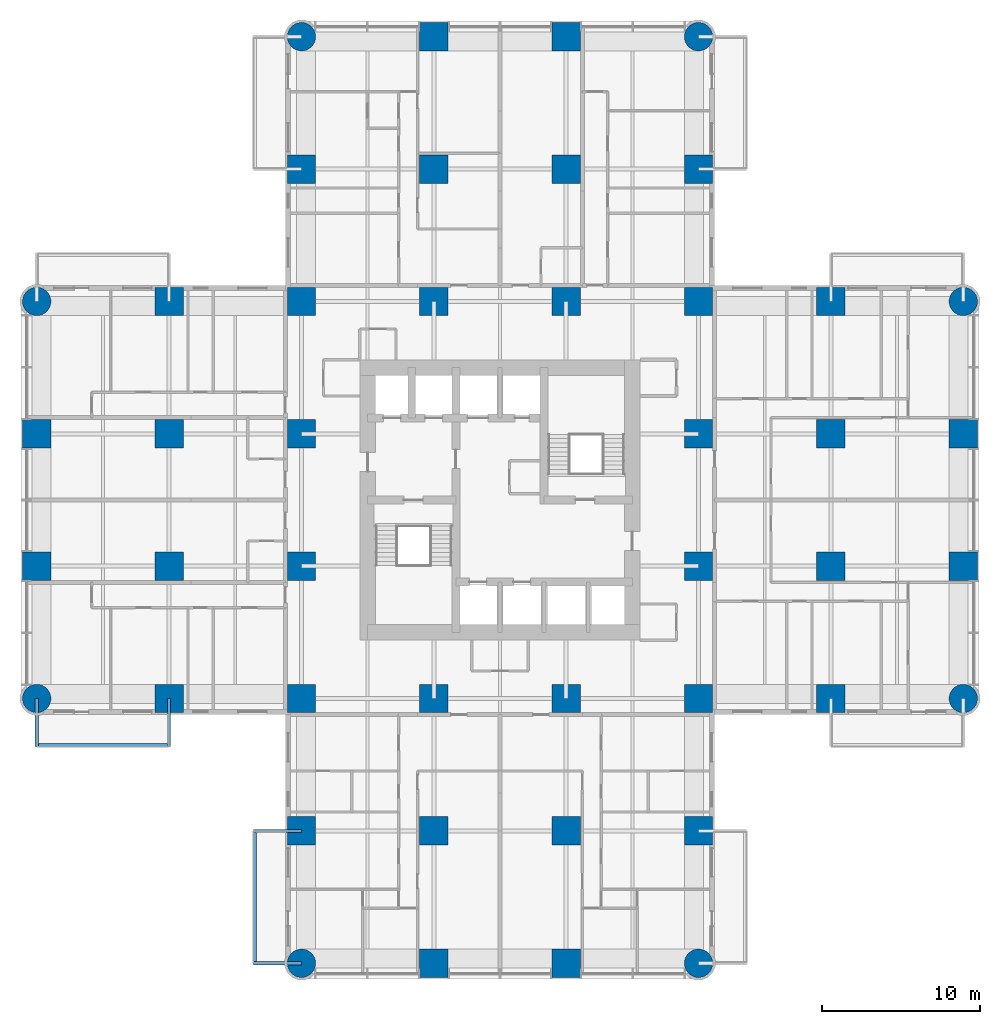
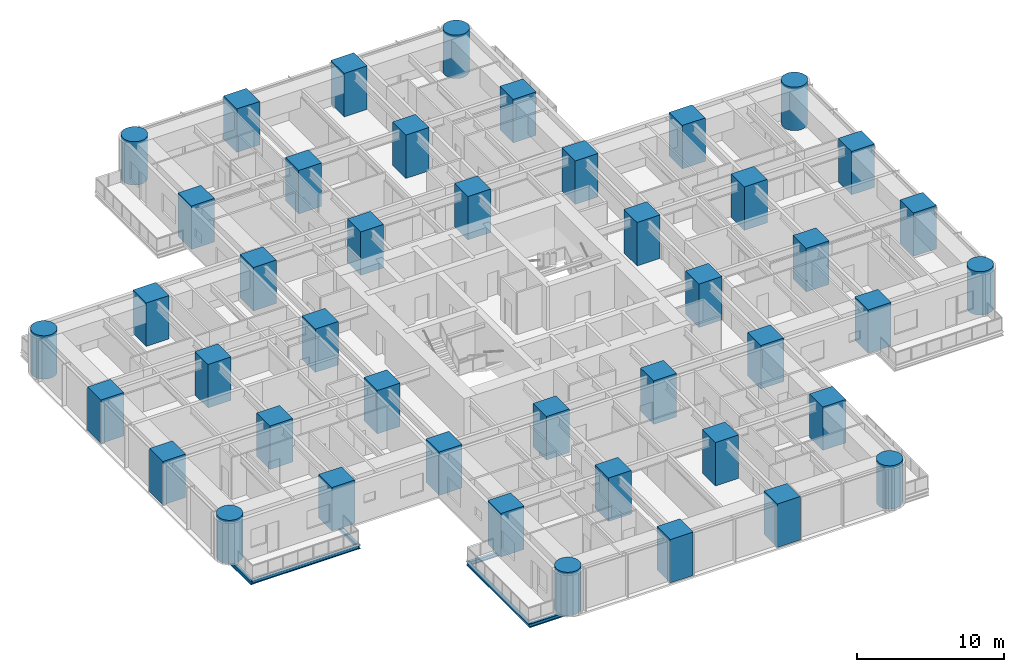
# One storey, part 1 of 17: 44 columns, 6 beams.
"""IFC4 building model written with IfcOpenShell, lengths in metres."""

from ifc_helpers import new_model, si_unit, direction, frame, origin, origin_2d, place, context, subcontext, project, spatial, rectangle, circle, i_section, extrude, material, material_profile, profile_set, type_object, element, save


model = new_model("IFC4")

# Units and contexts
model_context = context("Model", 3, precision=1e-05, world=origin(), true_north=direction((0.0, 1.0)))
body_context = subcontext(model_context, "Body", "Model", "MODEL_VIEW")
ifc_project = project(units=[si_unit("LENGTHUNIT", "METRE"), si_unit("AREAUNIT", "SQUARE_METRE"), si_unit("VOLUMEUNIT", "CUBIC_METRE"), si_unit("PLANEANGLEUNIT", "RADIAN"), si_unit("MASSUNIT", "GRAM", prefix="KILO")], contexts=[model_context])

# Site, building, storey
site_placement = place(None, origin())
site = spatial("IfcSite", under=ifc_project, at=site_placement, CompositionType="ELEMENT")
building_placement = place(site_placement, origin())
building = spatial("IfcBuilding", under=site, at=building_placement, Name="Torre Alcanfor", CompositionType="ELEMENT")
storey_placement = place(building_placement, frame((0.0, 0.0, 63.300048828125)))
storey = spatial("IfcBuildingStorey", under=building, at=storey_placement, Name="L15", CompositionType="ELEMENT", Elevation=63.300048828125)

# Columns
ifc_material_1 = material(Name="Concrete f'c 70 MPa", Category="concrete")
ifc_material_profile_1 = material_profile(ifc_material_1, rectangle(XDim=1.800048828125, YDim=1.800048828125, at=origin_2d()), Name="1800x1800")
ifc_profile_set_1 = profile_set([ifc_material_profile_1], Name="Concrete f'c 70 MPa")
column_type_1 = type_object("IfcColumnType", Name="RC column 1800x1800 f'c70", PredefinedType="COLUMN", material=ifc_profile_set_1)
for number, where, z_axis, x_axis, name in (
    (1, (0.0, 25.199951171875, 0.0), (0.0, 0.0, 1.0), (1.0, 0.0, 0.0), "Column 1/F L15"),
    (2, (0.0, 33.60009765625, 0.0), (0.0, 0.0, 1.0), (1.0, 0.0, 0.0), "Column 1/G L15"),
    (3, (8.39990234375, 16.800048828125, 0.0), (0.0, 0.0, 1.0), (1.0, 0.0, 0.0), "Column 2/E L15"),
    (4, (8.39990234375, 25.199951171875, 0.0), (0.0, 0.0, 1.0), (1.0, 0.0, 0.0), "Column 2/F L15"),
    (5, (8.39990234375, 33.60009765625, 0.0), (0.0, 0.0, 1.0), (1.0, 0.0, 0.0), "Column 2/G L15"),
    (6, (8.39990234375, 42.0, 0.0), (0.0, 0.0, 1.0), (1.0, 0.0, 0.0), "Column 2/H L15"),
    (7, (16.800048828125, 8.39990234375, 0.0), (0.0, 0.0, 1.0), (1.0, 0.0, 0.0), "Column 3/D L15"),
    (8, (16.800048828125, 16.800048828125, 0.0), (0.0, 0.0, 1.0), (1.0, 0.0, 0.0), "Column 3/E L15"),
    (9, (16.800048828125, 25.199951171875, 0.0), (0.0, 0.0, 1.0), (1.0, 0.0, 0.0), "Column 3/F L15"),
    (10, (16.800048828125, 33.60009765625, 0.0), (0.0, 0.0, 1.0), (1.0, 0.0, 0.0), "Column 3/G L15"),
    (11, (16.800048828125, 42.0, 0.0), (0.0, 0.0, 1.0), (1.0, 0.0, 0.0), "Column 3/H L15"),
    (12, (16.800048828125, 50.39990234375, 0.0), (0.0, 0.0, 1.0), (1.0, 0.0, 0.0), "Column 3/J L15"),
    (13, (25.199951171875, 0.0, 0.0), (0.0, 0.0, 1.0), (1.0, 0.0, 0.0), "Column 4/C L15"),
    (14, (25.199951171875, 8.39990234375, 0.0), (0.0, 0.0, 1.0), (1.0, 0.0, 0.0), "Column 4/D L15"),
    (15, (25.199951171875, 16.800048828125, 0.0), (0.0, 0.0, 1.0), (1.0, 0.0, 0.0), "Column 4/E L15"),
    (16, (25.199951171875, 42.0, 0.0), (0.0, 0.0, 1.0), (1.0, 0.0, 0.0), "Column 4/H L15"),
    (17, (25.199951171875, 50.39990234375, 0.0), (0.0, 0.0, 1.0), (1.0, 0.0, 0.0), "Column 4/J L15"),
    (18, (25.199951171875, 58.800048828125, 0.0), (0.0, 0.0, 1.0), (1.0, 0.0, 0.0), "Column 4/K L15"),
    (19, (33.60009765625, 0.0, 0.0), (0.0, 0.0, 1.0), (1.0, 0.0, 0.0), "Column 5/C L15"),
    (20, (33.60009765625, 8.39990234375, 0.0), (0.0, 0.0, 1.0), (1.0, 0.0, 0.0), "Column 5/D L15"),
    (21, (33.60009765625, 16.800048828125, 0.0), (0.0, 0.0, 1.0), (1.0, 0.0, 0.0), "Column 5/E L15"),
    (22, (33.60009765625, 42.0, 0.0), (0.0, 0.0, 1.0), (1.0, 0.0, 0.0), "Column 5/H L15"),
    (23, (33.60009765625, 50.39990234375, 0.0), (0.0, 0.0, 1.0), (1.0, 0.0, 0.0), "Column 5/J L15"),
    (24, (33.60009765625, 58.800048828125, 0.0), (0.0, 0.0, 1.0), (1.0, 0.0, 0.0), "Column 5/K L15"),
    (25, (42.0, 8.39990234375, 0.0), (0.0, 0.0, 1.0), (1.0, 0.0, 0.0), "Column 6/D L15"),
    (26, (42.0, 16.800048828125, 0.0), (0.0, 0.0, 1.0), (1.0, 0.0, 0.0), "Column 6/E L15"),
    (27, (42.0, 25.199951171875, 0.0), (0.0, 0.0, 1.0), (1.0, 0.0, 0.0), "Column 6/F L15"),
    (28, (42.0, 33.60009765625, 0.0), (0.0, 0.0, 1.0), (1.0, 0.0, 0.0), "Column 6/G L15"),
    (29, (42.0, 42.0, 0.0), (0.0, 0.0, 1.0), (1.0, 0.0, 0.0), "Column 6/H L15"),
    (30, (42.0, 50.39990234375, 0.0), (0.0, 0.0, 1.0), (1.0, 0.0, 0.0), "Column 6/J L15"),
    (31, (50.39990234375, 16.800048828125, 0.0), (0.0, 0.0, 1.0), (1.0, 0.0, 0.0), "Column 7/E L15"),
    (32, (50.39990234375, 25.199951171875, 0.0), (0.0, 0.0, 1.0), (1.0, 0.0, 0.0), "Column 7/F L15"),
    (33, (50.39990234375, 33.60009765625, 0.0), (0.0, 0.0, 1.0), (1.0, 0.0, 0.0), "Column 7/G L15"),
    (34, (50.39990234375, 42.0, 0.0), (0.0, 0.0, 1.0), (1.0, 0.0, 0.0), "Column 7/H L15"),
    (35, (58.800048828125, 25.199951171875, 0.0), (0.0, 0.0, 1.0), (1.0, 0.0, 0.0), "Column 8/F L15"),
    (36, (58.800048828125, 33.60009765625, 0.0), (0.0, 0.0, 1.0), (1.0, 0.0, 0.0), "Column 8/G L15"),
):
    element("IfcColumn", number, at=place(storey_placement, frame(where, z_axis=z_axis, x_axis=x_axis)), inside=storey, type_object=column_type_1, Name=name, PredefinedType="COLUMN", context=body_context, shape_type="SweptSolid", body=[
        extrude(rectangle(XDim=1.800048828125, YDim=1.800048828125, at=origin_2d()), origin(), (0.0, 0.0, 1.0), 3.599853515625),
    ])
ifc_material_2 = material(Name="Concrete f'c 70 MPa", Category="concrete")
ifc_material_profile_2 = material_profile(ifc_material_2, circle(Radius=0.89990234375, at=origin_2d()), Name="D1800")
ifc_profile_set_2 = profile_set([ifc_material_profile_2], Name="Concrete f'c 70 MPa")
column_type_2 = type_object("IfcColumnType", Name="RC column D1800 f'c70", PredefinedType="COLUMN", material=ifc_profile_set_2)
for number, where, z_axis, x_axis, name in (
    (37, (0.0, 16.800048828125, 0.0), (0.0, 0.0, 1.0), (1.0, 0.0, 0.0), "Column 1/E L15"),
    (38, (0.0, 42.0, 0.0), (0.0, 0.0, 1.0), (1.0, 0.0, 0.0), "Column 1/H L15"),
    (39, (16.800048828125, 0.0, 0.0), (0.0, 0.0, 1.0), (1.0, 0.0, 0.0), "Column 3/C L15"),
    (40, (16.800048828125, 58.800048828125, 0.0), (0.0, 0.0, 1.0), (1.0, 0.0, 0.0), "Column 3/K L15"),
    (41, (42.0, 0.0, 0.0), (0.0, 0.0, 1.0), (1.0, 0.0, 0.0), "Column 6/C L15"),
    (42, (42.0, 58.800048828125, 0.0), (0.0, 0.0, 1.0), (1.0, 0.0, 0.0), "Column 6/K L15"),
    (43, (58.800048828125, 16.800048828125, 0.0), (0.0, 0.0, 1.0), (1.0, 0.0, 0.0), "Column 8/E L15"),
    (44, (58.800048828125, 42.0, 0.0), (0.0, 0.0, 1.0), (1.0, 0.0, 0.0), "Column 8/H L15"),
):
    element("IfcColumn", number, at=place(storey_placement, frame(where, z_axis=z_axis, x_axis=x_axis)), inside=storey, type_object=column_type_2, Name=name, PredefinedType="COLUMN", context=body_context, shape_type="SweptSolid", body=[
        extrude(circle(Radius=0.89990234375, at=origin_2d()), origin(), (0.0, 0.0, 1.0), 3.599853515625),
    ])

# Beams
ifc_material_3 = material(Name="Steel ASTM A992 Grade 50", Category="steel")
ifc_material_profile_3 = material_profile(ifc_material_3, i_section(OverallWidth=0.205322265625, OverallDepth=0.309814453125, WebThickness=0.00927734375, FlangeThickness=0.016357421875, at=origin_2d()), Name="W12x50")
ifc_profile_set_3 = profile_set([ifc_material_profile_3], Name="Steel ASTM A992 Grade 50")
beam_type_1 = type_object("IfcBeamType", Name="Balcony cantilever beam W12x50", PredefinedType="BEAM", material=ifc_profile_set_3)
for number, where, z_axis, x_axis, name in (
    (45, (16.800048828125, 8.39990234375, -0.35498046875), (-1.0, 0.0, 0.0), (0.0, -1.0, 0.0), "Balcony cantilever beam L15-S2 1"),
    (46, (16.800048828125, 0.0, -0.35498046875), (-1.0, 0.0, 0.0), (0.0, -1.0, 0.0), "Balcony cantilever beam L15-S2 2"),
    (47, (8.39990234375, 16.800048828125, -0.35498046875), (0.0, -1.0, 0.0), (1.0, 0.0, 0.0), "Balcony cantilever beam L15-W1 1"),
    (48, (0.0, 16.800048828125, -0.35498046875), (0.0, -1.0, 0.0), (1.0, 0.0, 0.0), "Balcony cantilever beam L15-W1 2"),
):
    element("IfcBeam", number, at=place(storey_placement, frame(where, z_axis=z_axis, x_axis=x_axis)), inside=storey, type_object=beam_type_1, Name=name, PredefinedType="BEAM", context=body_context, shape_type="SweptSolid", body=[
        extrude(i_section(OverallWidth=0.205322265625, OverallDepth=0.309814453125, WebThickness=0.00927734375, FlangeThickness=0.016357421875, at=origin_2d()), origin(), (0.0, 0.0, 1.0), 3.050048828125),
    ])
ifc_material_4 = material(Name="Steel ASTM A992 Grade 50", Category="steel")
ifc_material_profile_4 = material_profile(ifc_material_4, i_section(OverallWidth=0.203369140625, OverallDepth=0.30224609375, WebThickness=0.007568359375, FlangeThickness=0.01318359375, at=origin_2d()), Name="W12x40")
ifc_profile_set_4 = profile_set([ifc_material_profile_4], Name="Steel ASTM A992 Grade 50")
beam_type_2 = type_object("IfcBeamType", Name="Balcony edge trimmer W12x40", PredefinedType="BEAM", material=ifc_profile_set_4)
for number, where, z_axis, x_axis, name in (
    (49, (13.851806640625, 8.39990234375, -0.35107421875), (0.0, -1.0, 0.0), (1.0, 0.0, 0.0), "Balcony edge trimmer L15-S2"),
    (50, (8.39990234375, 13.851806640625, -0.35107421875), (-1.0, 0.0, 0.0), (0.0, -1.0, 0.0), "Balcony edge trimmer L15-W1"),
):
    element("IfcBeam", number, at=place(storey_placement, frame(where, z_axis=z_axis, x_axis=x_axis)), inside=storey, type_object=beam_type_2, Name=name, PredefinedType="BEAM", context=body_context, shape_type="SweptSolid", body=[
        extrude(i_section(OverallWidth=0.203369140625, OverallDepth=0.30224609375, WebThickness=0.007568359375, FlangeThickness=0.01318359375, at=origin_2d()), origin(), (0.0, 0.0, 1.0), 8.39990234375),
    ])

save(model, "model.ifc")
